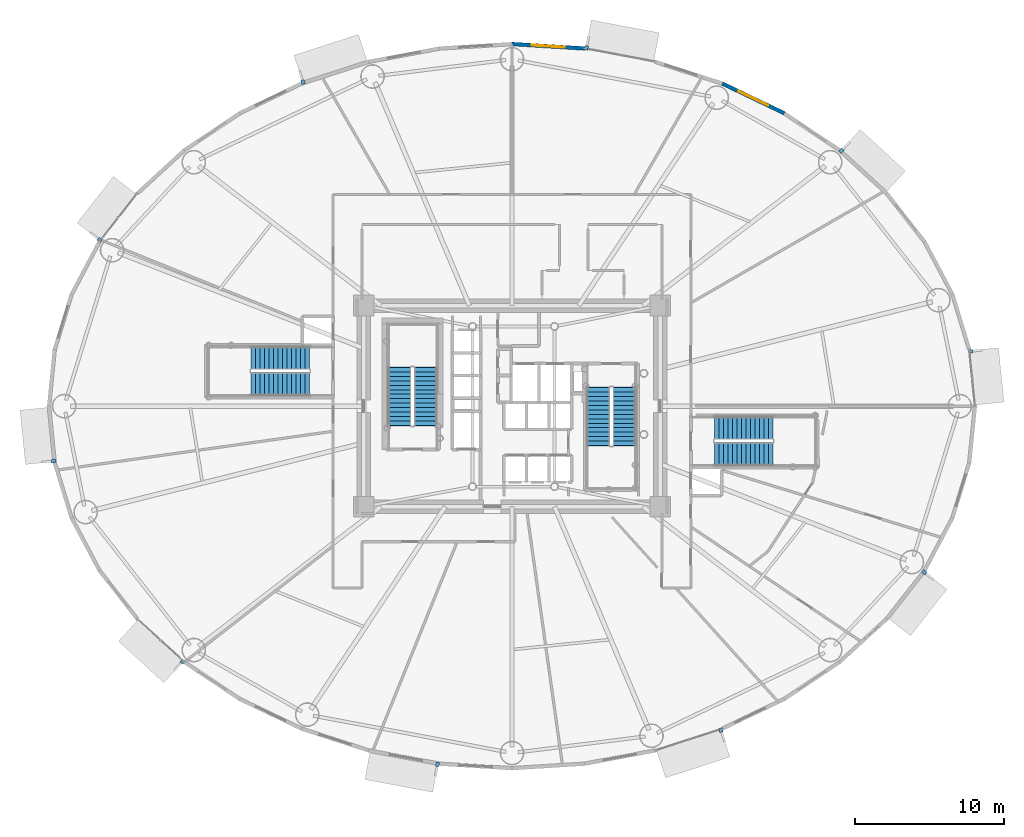
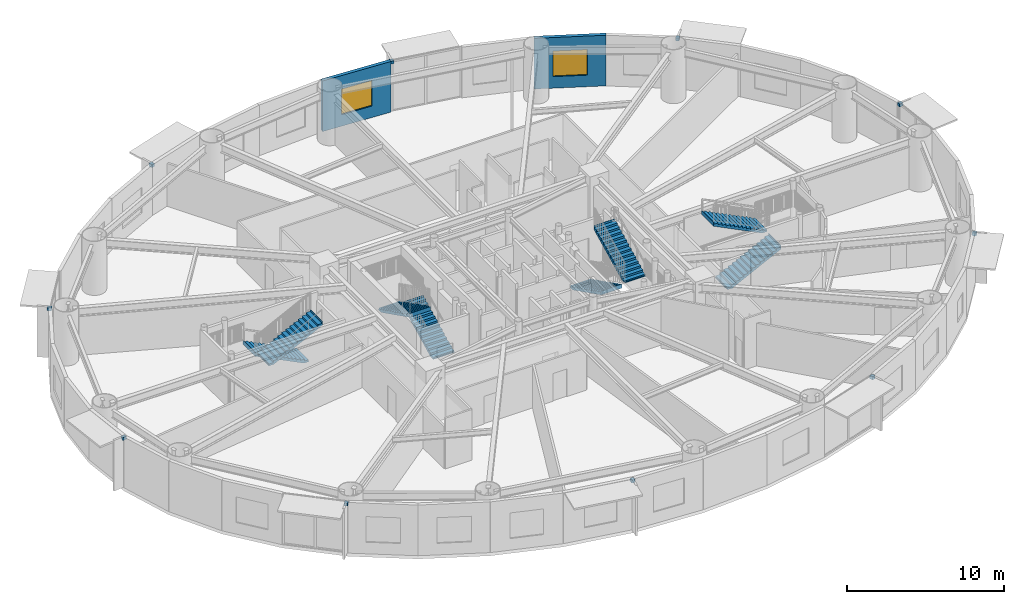
# One storey, part 20 of 32: 10 discrete accessories, 8 stair flights, 2 walls, 2 windows, 2 openings, 4 elements without a shape of their own.
"""IFC4 building model written with IfcOpenShell, lengths in metres."""

from ifc_helpers import new_model, si_unit, direction, frame, frame_2d, origin, origin_2d, place, context, subcontext, project, spatial, polyline, rectangle, outline, extrude, source, transform, mapped, material, layer, layer_set, type_object, element, fill, aggregate, save


model = new_model("IFC4")

# Units and contexts
model_context = context("Model", 3, precision=1e-05, world=origin(), true_north=direction((0.0, 1.0)))
body_context = subcontext(model_context, "Body", "Model", "MODEL_VIEW")
ifc_project = project(units=[si_unit("LENGTHUNIT", "METRE"), si_unit("AREAUNIT", "SQUARE_METRE"), si_unit("VOLUMEUNIT", "CUBIC_METRE"), si_unit("PLANEANGLEUNIT", "RADIAN"), si_unit("MASSUNIT", "GRAM", prefix="KILO")], contexts=[model_context])

# Site, building, storey
site_placement = place(None, origin())
site = spatial("IfcSite", under=ifc_project, at=site_placement, CompositionType="ELEMENT")
building_placement = place(site_placement, origin())
building = spatial("IfcBuilding", under=site, at=building_placement, Name="Linh Dai School and Residence Tower", CompositionType="ELEMENT")
storey_placement = place(building_placement, frame((0.0, 0.0, 40.800048828125)))
storey = spatial("IfcBuildingStorey", under=building, at=storey_placement, Name="L09", CompositionType="ELEMENT", Elevation=40.800048828125)

# Wall, opening, window
ifc_material_1 = material(Name="Precast Concrete B45 (C35/45)", Category="concrete")
ifc_layer = layer(ifc_material_1, 0.25)
ifc_layer_set = layer_set([ifc_layer], Name="Precast Concrete B45 (C35/45)")
wall_type = type_object("IfcWallType", Name="EW-TC-250", PredefinedType="SOLIDWALL", material=ifc_layer_set)
wall_1_placement = place(storey_placement, frame((50.1181640625, 48.651123046875, 0.0), z_axis=(0.0, 0.0, 1.0), x_axis=(0.901601503137, -0.432567601123, 0.0)))
wall_1 = element("IfcWall", 1, at=wall_1_placement, inside=storey, type_object=wall_type, Name="L09 Terracotta Exterior Wall 07", PredefinedType="SOLIDWALL", context=body_context, shape_type="SweptSolid", body=[
    extrude(rectangle(XDim=4.61279296875, YDim=0.25, at=frame_2d((2.306396484375, 0.0))), origin(), (0.0, 0.0, 1.0), 3.949951171875),
])
opening_1_placement = place(wall_1_placement, frame((1.206298828125, 0.0, 0.89990234375)))
opening_1 = element("IfcOpeningElement", 2, at=opening_1_placement, cuts=wall_1, Name="Opening W4", PredefinedType="OPENING", context=body_context, shape_type="SweptSolid", body=[
    extrude(rectangle(XDim=2.199951171875, YDim=2.0, at=origin_2d()), frame((1.10009765625, 0.135009765625, 1.0), z_axis=(0.0, -1.0, 0.0), x_axis=(1.0, 0.0, 0.0)), (0.0, 0.0, 1.0), 0.27001953125),
])
ifc_material_2 = material(Name="Acoustic Laminated Low-E Glazing", Category="glass")
window_type = type_object("IfcWindowType", Name="WN-SCH-2200x2000", PartitioningType="TRIPLE_PANEL_VERTICAL", PredefinedType="WINDOW", material=ifc_material_2)
shared_shape_1 = source(origin(), body_context, "Body", "SweptSolid", [
    extrude(rectangle(XDim=2.199951171875, YDim=2.0, at=origin_2d()), frame((1.10009765625, 0.030029296875, 1.0), z_axis=(0.0, -1.0, 0.0), x_axis=(1.0, 0.0, 0.0)), (0.0, 0.0, 1.0), 0.06005859375),
])
window_1_placement = place(opening_1_placement, origin())
window_1 = element("IfcWindow", 3, at=window_1_placement, inside=storey, type_object=window_type, Name="L09 Exterior Window 07.1", OverallHeight=2.0, OverallWidth=2.199951171875, PartitioningType="TRIPLE_PANEL_VERTICAL", PredefinedType="WINDOW", context=body_context, shape_type="MappedRepresentation", body=[
    mapped(shared_shape_1, transform((0.0, 0.0, 0.0), x_axis=(1.0, 0.0, 0.0), y_axis=(0.0, 1.0, 0.0), z_axis=(0.0, 0.0, 1.0), scale=1.0)),
])
fill(opening_1, window_1)

wall_2_placement = place(storey_placement, frame((36.0, 51.304931640625, 0.0), z_axis=(0.0, 0.0, 1.0), x_axis=(0.998106954071, -0.061502099433, 0.0)))
wall_2 = element("IfcWall", 4, at=wall_2_placement, inside=storey, type_object=wall_type, Name="L09 Terracotta Exterior Wall 10", PredefinedType="SOLIDWALL", context=body_context, shape_type="SweptSolid", body=[
    extrude(rectangle(XDim=4.874755859375, YDim=0.25, at=frame_2d((2.4375, 0.0))), origin(), (0.0, 0.0, 1.0), 3.949951171875),
])
opening_2_placement = place(wall_2_placement, frame((1.33740234375, 0.0, 0.89990234375)))
opening_2 = element("IfcOpeningElement", 5, at=opening_2_placement, cuts=wall_2, Name="Opening W4", PredefinedType="OPENING", context=body_context, shape_type="SweptSolid", body=[
    extrude(rectangle(XDim=2.199951171875, YDim=2.0, at=origin_2d()), frame((1.10009765625, 0.135009765625, 1.0), z_axis=(0.0, -1.0, 0.0), x_axis=(1.0, 0.0, 0.0)), (0.0, 0.0, 1.0), 0.27001953125),
])
window_2_placement = place(opening_2_placement, origin())
window_2 = element("IfcWindow", 6, at=window_2_placement, inside=storey, type_object=window_type, Name="L09 Exterior Window 10.1", OverallHeight=2.0, OverallWidth=2.199951171875, PartitioningType="TRIPLE_PANEL_VERTICAL", PredefinedType="WINDOW", context=body_context, shape_type="MappedRepresentation", body=[
    mapped(shared_shape_1, transform((0.0, 0.0, 0.0), x_axis=(1.0, 0.0, 0.0), y_axis=(0.0, 1.0, 0.0), z_axis=(0.0, 0.0, 1.0), scale=1.0)),
])
fill(opening_2, window_2)

# Stair, stair flights
ifc_material_3 = material(Name="Concrete B45 (C35/45)", Category="concrete")
stair_type = type_object("IfcStairType", Name="ST-DOG-1550-R1500", PredefinedType="HALF_TURN_STAIR", material=ifc_material_3)
stair_1_placement = place(storey_placement, origin())
stair_1 = element("IfcStair", 7, at=stair_1_placement, inside=storey, type_object=stair_type, Name="L09 Core Smokeproof Exit Stair ST1", PredefinedType="HALF_TURN_STAIR")
stair_flight_type = type_object("IfcStairFlightType", Name="STF-STR-1550-R1500", PredefinedType="STRAIGHT", material=ifc_material_3)
shared_shape_2 = source(origin(), body_context, "Body", "SweptSolid", [
    extrude(outline(polyline([(-0.02490234375, 0.0), (-0.02490234375, 0.06005859375), (0.0, 0.06005859375), (0.0, 0.14990234375), (0.300048828125, 0.14990234375), (0.300048828125, 0.300048828125), (0.60009765625, 0.300048828125), (0.60009765625, 0.449951171875), (0.89990234375, 0.449951171875), (0.89990234375, 0.60009765625), (1.199951171875, 0.60009765625), (1.199951171875, 0.75), (1.5, 0.75), (1.5, 0.89990234375), (1.800048828125, 0.89990234375), (1.800048828125, 1.050048828125), (2.10009765625, 1.050048828125), (2.10009765625, 1.199951171875), (2.39990234375, 1.199951171875), (2.39990234375, 1.35009765625), (2.699951171875, 1.35009765625), (2.699951171875, 1.5), (3.0, 1.5), (3.0, 1.64990234375), (3.300048828125, 1.64990234375), (3.300048828125, 1.800048828125), (3.60009765625, 1.800048828125), (3.60009765625, 1.949951171875), (3.89990234375, 1.949951171875), (3.89990234375, 2.10009765625), (3.925048828125, 2.10009765625), (3.925048828125, 1.782470703125), (3.89990234375, 1.782470703125), (0.335205078125, 0.0), (-0.02490234375, 0.0)])), frame((0.0, 0.77490234375, 0.0), z_axis=(0.0, -1.0, 0.0), x_axis=(1.0, 0.0, 0.0)), (0.0, 0.0, 1.0), 1.550048828125),
])
stair_flight_1_placement = place(storey_placement, frame((30.205078125, 25.699951171875, 0.0), z_axis=(0.0, 0.0, 1.0), x_axis=(0.0, 1.0, 0.0)))
stair_flight_1 = element("IfcStairFlight", 8, at=stair_flight_1_placement, type_object=stair_flight_type, Name="ST1 flight 1", NumberOfRisers=14, NumberOfTreads=13, PredefinedType="STRAIGHT", RiserHeight=0.15, TreadLength=0.3, context=body_context, shape_type="MappedRepresentation", body=[
    mapped(shared_shape_2, transform((0.0, 0.0, 0.0), x_axis=(1.0, 0.0, 0.0), y_axis=(0.0, 1.0, 0.0), z_axis=(0.0, 0.0, 1.0), scale=1.0)),
])
stair_flight_2_placement = place(storey_placement, frame((28.455078125, 29.60009765625, 2.099853515625), z_axis=(0.0, 0.0, 1.0), x_axis=(0.0, -1.0, 0.0)))
stair_flight_2 = element("IfcStairFlight", 9, at=stair_flight_2_placement, type_object=stair_flight_type, Name="ST1 flight 2", NumberOfRisers=14, NumberOfTreads=13, PredefinedType="STRAIGHT", RiserHeight=0.15, TreadLength=0.3, context=body_context, shape_type="MappedRepresentation", body=[
    mapped(shared_shape_2, transform((0.0, 0.0, 0.0), x_axis=(1.0, 0.0, 0.0), y_axis=(0.0, 1.0, 0.0), z_axis=(0.0, 0.0, 1.0), scale=1.0)),
])
aggregate(stair_1, [stair_flight_1, stair_flight_2])

stair_2_placement = place(storey_placement, origin())
stair_2 = element("IfcStair", 10, at=stair_2_placement, inside=storey, type_object=stair_type, Name="L09 Core Smokeproof Exit Stair ST2", PredefinedType="HALF_TURN_STAIR")
stair_flight_3_placement = place(storey_placement, frame((41.794921875, 28.25, 0.0), z_axis=(0.0, 0.0, 1.0), x_axis=(0.0, -1.0, 0.0)))
stair_flight_3 = element("IfcStairFlight", 11, at=stair_flight_3_placement, type_object=stair_flight_type, Name="ST2 flight 1", NumberOfRisers=14, NumberOfTreads=13, PredefinedType="STRAIGHT", RiserHeight=0.15, TreadLength=0.3, context=body_context, shape_type="MappedRepresentation", body=[
    mapped(shared_shape_2, transform((0.0, 0.0, 0.0), x_axis=(1.0, 0.0, 0.0), y_axis=(0.0, 1.0, 0.0), z_axis=(0.0, 0.0, 1.0), scale=1.0)),
])
stair_flight_4_placement = place(storey_placement, frame((43.544921875, 24.35009765625, 2.099853515625), z_axis=(0.0, 0.0, 1.0), x_axis=(0.0, 1.0, 0.0)))
stair_flight_4 = element("IfcStairFlight", 12, at=stair_flight_4_placement, type_object=stair_flight_type, Name="ST2 flight 2", NumberOfRisers=14, NumberOfTreads=13, PredefinedType="STRAIGHT", RiserHeight=0.15, TreadLength=0.3, context=body_context, shape_type="MappedRepresentation", body=[
    mapped(shared_shape_2, transform((0.0, 0.0, 0.0), x_axis=(1.0, 0.0, 0.0), y_axis=(0.0, 1.0, 0.0), z_axis=(0.0, 0.0, 1.0), scale=1.0)),
])
aggregate(stair_2, [stair_flight_3, stair_flight_4])

stair_3_placement = place(storey_placement, origin())
stair_3 = element("IfcStair", 13, at=stair_3_placement, inside=storey, type_object=stair_type, Name="L09 School Exit Stair STS1", PredefinedType="HALF_TURN_STAIR")
stair_flight_5_placement = place(storey_placement, frame((22.39990234375, 30.22509765625, 0.0), z_axis=(0.0, 0.0, 1.0), x_axis=(-1.0, 0.0, 0.0)))
stair_flight_5 = element("IfcStairFlight", 14, at=stair_flight_5_placement, type_object=stair_flight_type, Name="STS1 flight 1", NumberOfRisers=14, NumberOfTreads=13, PredefinedType="STRAIGHT", RiserHeight=0.15, TreadLength=0.3, context=body_context, shape_type="MappedRepresentation", body=[
    mapped(shared_shape_2, transform((0.0, 0.0, 0.0), x_axis=(1.0, 0.0, 0.0), y_axis=(0.0, 1.0, 0.0), z_axis=(0.0, 0.0, 1.0), scale=1.0)),
])
stair_flight_6_placement = place(storey_placement, frame((18.5, 28.47509765625, 2.099853515625), z_axis=(0.0, 0.0, 1.0), x_axis=(1.0, 0.0, 0.0)))
stair_flight_6 = element("IfcStairFlight", 15, at=stair_flight_6_placement, type_object=stair_flight_type, Name="STS1 flight 2", NumberOfRisers=14, NumberOfTreads=13, PredefinedType="STRAIGHT", RiserHeight=0.15, TreadLength=0.3, context=body_context, shape_type="MappedRepresentation", body=[
    mapped(shared_shape_2, transform((0.0, 0.0, 0.0), x_axis=(1.0, 0.0, 0.0), y_axis=(0.0, 1.0, 0.0), z_axis=(0.0, 0.0, 1.0), scale=1.0)),
])
aggregate(stair_3, [stair_flight_5, stair_flight_6])

stair_4_placement = place(storey_placement, origin())
stair_4 = element("IfcStair", 16, at=stair_4_placement, inside=storey, type_object=stair_type, Name="L09 School Exit Stair STS2", PredefinedType="HALF_TURN_STAIR")
stair_flight_7_placement = place(storey_placement, frame((49.60009765625, 23.77490234375, 0.0), z_axis=(0.0, 0.0, 1.0), x_axis=(1.0, 0.0, 0.0)))
stair_flight_7 = element("IfcStairFlight", 17, at=stair_flight_7_placement, type_object=stair_flight_type, Name="STS2 flight 1", NumberOfRisers=14, NumberOfTreads=13, PredefinedType="STRAIGHT", RiserHeight=0.15, TreadLength=0.3, context=body_context, shape_type="MappedRepresentation", body=[
    mapped(shared_shape_2, transform((0.0, 0.0, 0.0), x_axis=(1.0, 0.0, 0.0), y_axis=(0.0, 1.0, 0.0), z_axis=(0.0, 0.0, 1.0), scale=1.0)),
])
stair_flight_8_placement = place(storey_placement, frame((53.5, 25.52490234375, 2.099853515625), z_axis=(0.0, 0.0, 1.0), x_axis=(-1.0, 0.0, 0.0)))
stair_flight_8 = element("IfcStairFlight", 18, at=stair_flight_8_placement, type_object=stair_flight_type, Name="STS2 flight 2", NumberOfRisers=14, NumberOfTreads=13, PredefinedType="STRAIGHT", RiserHeight=0.15, TreadLength=0.3, context=body_context, shape_type="MappedRepresentation", body=[
    mapped(shared_shape_2, transform((0.0, 0.0, 0.0), x_axis=(1.0, 0.0, 0.0), y_axis=(0.0, 1.0, 0.0), z_axis=(0.0, 0.0, 1.0), scale=1.0)),
])
aggregate(stair_4, [stair_flight_7, stair_flight_8])

# Discrete accessories
ifc_material_4 = material(Name="Structural Steel S355JR", Category="steel")
discrete_accessory_type = type_object("IfcDiscreteAccessoryType", Name="ACC-BRK-S355", PredefinedType="BRACKET", material=ifc_material_4)
shared_shape_3 = source(origin(), body_context, "Body", "SweptSolid", [
    extrude(rectangle(XDim=0.280029296875, YDim=0.239990234375, at=origin_2d()), origin(), (0.0, 0.0, 1.0), 0.219970703125),
])
for number, where, z_axis, x_axis, name in (
    (19, (66.76513671875, 30.68359375, 3.7001953125), (0.0, 0.0, 1.0), (0.994986493533, 0.100009387998, 0.0), "L09 Facade Frame Anchor Bracket 01"),
    (20, (58.11376953125, 44.139404296875, 3.7001953125), (0.0, 0.0, 1.0), (0.675769237268, 0.737113246362, 0.0), "L09 Facade Frame Anchor Bracket 05"),
    (21, (40.994384765625, 51.0419921875, 3.7001953125), (0.0, 0.0, 1.0), (0.184747948944, 0.982785935675, 0.0), "L09 Facade Frame Anchor Bracket 09"),
    (22, (21.9775390625, 48.745361328125, 3.7001953125), (0.0, 0.0, 1.0), (-0.308510993844, 0.951220777043, 0.0), "L09 Facade Frame Anchor Bracket 13"),
    (23, (8.33203125, 38.154296875, 3.7001953125), (0.0, 0.0, 1.0), (-0.787496262172, 0.616319427785, 0.0), "L09 Facade Frame Anchor Bracket 17"),
    (24, (5.23486328125, 23.31640625, 3.7001953125), (0.0, 0.0, 1.0), (-0.994986493533, -0.100009387998, 0.0), "L09 Facade Frame Anchor Bracket 21"),
    (25, (13.88623046875, 9.860595703125, 3.7001953125), (0.0, 0.0, 1.0), (-0.675769237268, -0.737113246362, 0.0), "L09 Facade Frame Anchor Bracket 25"),
    (26, (31.005615234375, 2.9580078125, 3.7001953125), (0.0, 0.0, 1.0), (-0.184747948944, -0.982785935675, 0.0), "L09 Facade Frame Anchor Bracket 29"),
    (27, (50.0224609375, 5.254638671875, 3.7001953125), (0.0, 0.0, 1.0), (0.308510993844, -0.951220777043, 0.0), "L09 Facade Frame Anchor Bracket 33"),
    (28, (63.66796875, 15.845703125, 3.7001953125), (0.0, 0.0, 1.0), (0.787496262172, -0.616319427785, 0.0), "L09 Facade Frame Anchor Bracket 37"),
):
    element("IfcDiscreteAccessory", number, at=place(storey_placement, frame(where, z_axis=z_axis, x_axis=x_axis)), inside=storey, type_object=discrete_accessory_type, Name=name, PredefinedType="BRACKET", context=body_context, shape_type="MappedRepresentation", body=[
        mapped(shared_shape_3, transform((0.0, 0.0, 0.0), x_axis=(1.0, 0.0, 0.0), y_axis=(0.0, 1.0, 0.0), z_axis=(0.0, 0.0, 1.0), scale=1.0)),
    ])

save(model, "model.ifc")
